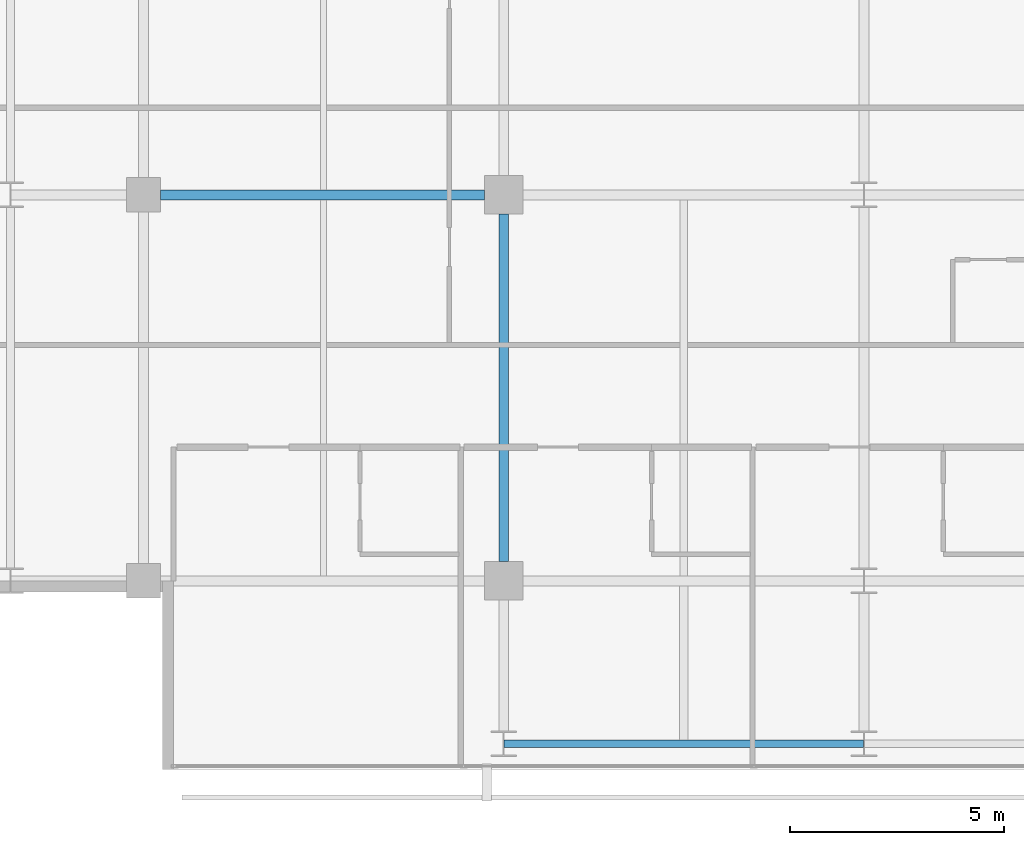
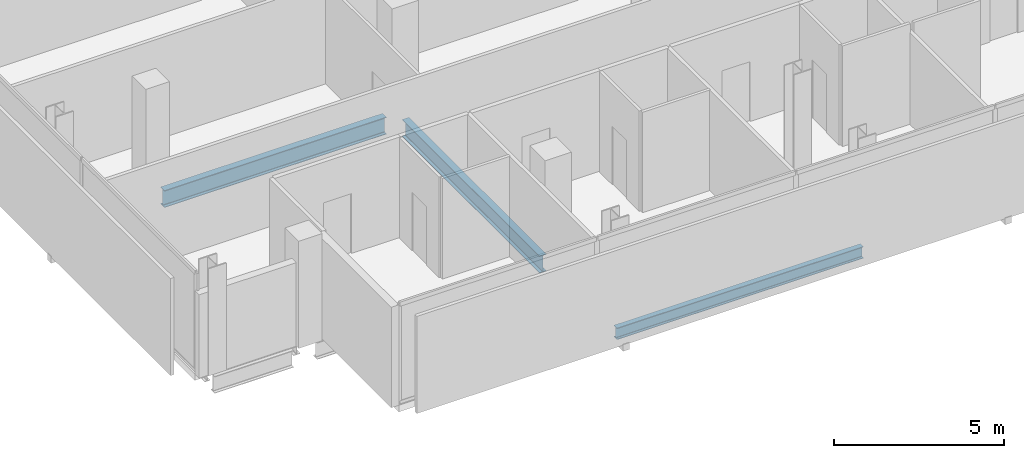
# One storey, part 5 of 33: 3 beams.
"""IFC4 building model written with IfcOpenShell, lengths in metres."""

from ifc_helpers import new_model, si_unit, direction, frame, origin, origin_2d, place, context, subcontext, project, spatial, i_section, extrude, material, material_profile, profile_set, type_object, element, save


model = new_model("IFC4")

# Units and contexts
model_context = context("Model", 3, precision=1e-05, world=origin(), true_north=direction((0.0, 1.0)))
body_context = subcontext(model_context, "Body", "Model", "MODEL_VIEW")
ifc_project = project(units=[si_unit("LENGTHUNIT", "METRE"), si_unit("AREAUNIT", "SQUARE_METRE"), si_unit("VOLUMEUNIT", "CUBIC_METRE"), si_unit("PLANEANGLEUNIT", "RADIAN"), si_unit("MASSUNIT", "GRAM", prefix="KILO")], contexts=[model_context])

# Site, building, storey
site_placement = place(None, origin())
site = spatial("IfcSite", under=ifc_project, at=site_placement, CompositionType="ELEMENT")
building_placement = place(site_placement, origin())
building = spatial("IfcBuilding", under=site, at=building_placement, Name="Maruvema Waterfront Hotel and Observation Tower", CompositionType="ELEMENT")
storey_placement = place(building_placement, frame((0.0, 0.0, 150.5)))
storey = spatial("IfcBuildingStorey", under=building, at=storey_placement, Name="L36", CompositionType="ELEMENT", Elevation=150.5)

# Beams
ifc_material_1 = material(Name="Steel ASTM A572 Grade 50", Category="steel")
ifc_material_profile_1 = material_profile(ifc_material_1, i_section(OverallWidth=0.180908203125, OverallDepth=0.4169921875, WebThickness=0.010986328125, FlangeThickness=0.018310546875, FilletRadius=0.014892578125, at=origin_2d()), Name="W410x85.0")
ifc_profile_set_1 = profile_set([ifc_material_profile_1], Name="Steel ASTM A572 Grade 50")
beam_type_1 = type_object("IfcBeamType", Name="Perimeter Spandrel Beam W410x85.0", PredefinedType="SPANDREL", material=ifc_profile_set_1)
beam_1_placement = place(storey_placement, frame((25.21240234375, 5.199951171875, -0.448486328125), z_axis=(1.0, 0.0, 0.0), x_axis=(0.0, 1.0, 0.0)))
element("IfcBeam", 1, at=beam_1_placement, inside=storey, type_object=beam_type_1, Name="L36 Floor Girder EW-01", PredefinedType="SPANDREL", context=body_context, shape_type="SweptSolid", body=[
    extrude(i_section(OverallWidth=0.180908203125, OverallDepth=0.4169921875, WebThickness=0.010986328125, FlangeThickness=0.018310546875, FilletRadius=0.014892578125, at=origin_2d()), origin(), (0.0, 0.0, 1.0), 8.375),
])
ifc_material_2 = material(Name="Steel ASTM A572 Grade 50", Category="steel")
ifc_material_profile_2 = material_profile(ifc_material_2, i_section(OverallWidth=0.22900390625, OverallDepth=0.612060546875, WebThickness=0.011962890625, FlangeThickness=0.01953125, FilletRadius=0.01806640625, at=origin_2d()), Name="W610x125.0")
ifc_profile_set_2 = profile_set([ifc_material_profile_2], Name="Steel ASTM A572 Grade 50")
beam_type_2 = type_object("IfcBeamType", Name="Primary Floor Girder W610x125.0", PredefinedType="BEAM", material=ifc_profile_set_2)
beam_2_placement = place(storey_placement, frame((17.199951171875, 18.0, -0.5458984375), z_axis=(1.0, 0.0, 0.0), x_axis=(0.0, 1.0, 0.0)))
element("IfcBeam", 2, at=beam_2_placement, inside=storey, type_object=beam_type_2, Name="L36 Floor Girder EW-12", PredefinedType="BEAM", context=body_context, shape_type="SweptSolid", body=[
    extrude(i_section(OverallWidth=0.22900390625, OverallDepth=0.612060546875, WebThickness=0.011962890625, FlangeThickness=0.01953125, FilletRadius=0.01806640625, at=origin_2d()), origin(), (0.0, 0.0, 1.0), 7.550048828125),
])
beam_3_placement = place(storey_placement, frame((25.199951171875, 9.449951171875, -0.5458984375), z_axis=(0.0, 1.0, 0.0), x_axis=(-1.0, 0.0, 0.0)))
element("IfcBeam", 3, at=beam_3_placement, inside=storey, type_object=beam_type_2, Name="L36 Floor Girder NS-10", PredefinedType="BEAM", context=body_context, shape_type="SweptSolid", body=[
    extrude(i_section(OverallWidth=0.22900390625, OverallDepth=0.612060546875, WebThickness=0.011962890625, FlangeThickness=0.01953125, FilletRadius=0.01806640625, at=origin_2d()), origin(), (0.0, 0.0, 1.0), 8.10009765625),
])

save(model, "model.ifc")
